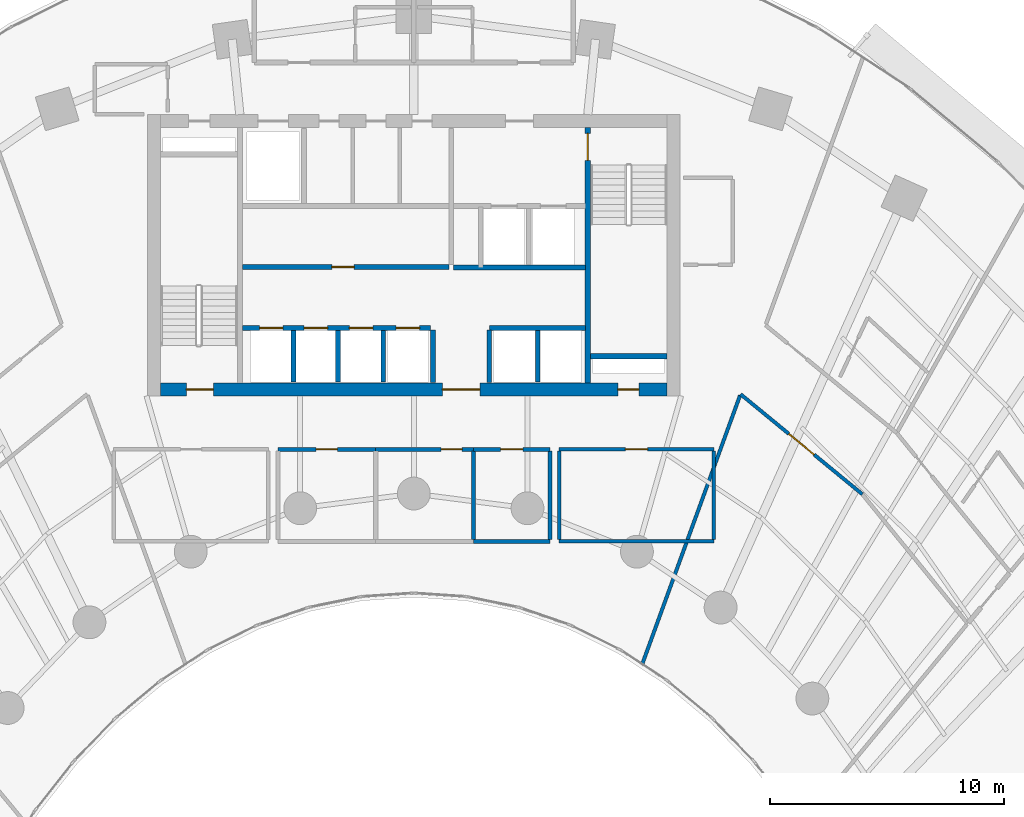
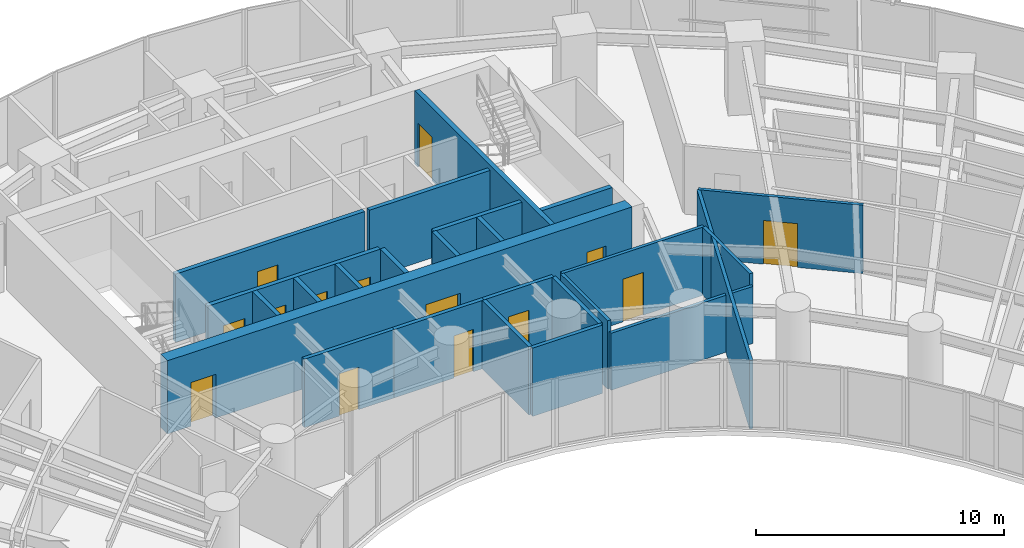
# One storey, part 12 of 17: 25 walls, 14 doors, 14 openings.
"""IFC4 building model written with IfcOpenShell, lengths in metres."""

from ifc_helpers import new_model, si_unit, direction, frame, frame_2d, origin, place, context, subcontext, project, spatial, rectangle, extrude, source, transform, mapped, material, layer, layer_set, type_object, type_shapes, element, fill, save


model = new_model("IFC4")

# Units and contexts
model_context = context("Model", 3, precision=1e-05, world=origin(), true_north=direction((0.0, 1.0)))
body_context = subcontext(model_context, "Body", "Model", "MODEL_VIEW")
ifc_project = project(units=[si_unit("LENGTHUNIT", "METRE"), si_unit("AREAUNIT", "SQUARE_METRE"), si_unit("VOLUMEUNIT", "CUBIC_METRE"), si_unit("PLANEANGLEUNIT", "RADIAN"), si_unit("MASSUNIT", "GRAM", prefix="KILO")], contexts=[model_context])

# Site, building, storey
site_placement = place(None, origin())
site = spatial("IfcSite", under=ifc_project, at=site_placement, CompositionType="ELEMENT")
building_placement = place(site_placement, origin())
building = spatial("IfcBuilding", under=site, at=building_placement, Name="Breltana Convention Tower", CompositionType="ELEMENT")
storey_placement = place(building_placement, frame((0.0, 0.0, 49.800048828125)))
storey = spatial("IfcBuildingStorey", under=building, at=storey_placement, Name="L10", CompositionType="ELEMENT", Elevation=49.800048828125)

# Wall, openings, doors
ifc_material_1 = material(Name="Concrete C60/75", Category="concrete")
ifc_layer_1 = layer(ifc_material_1, 0.550048828125, Name="Concrete C60/75")
ifc_layer_set_1 = layer_set([ifc_layer_1], Name="Concrete C60/75")
wall_type_1 = type_object("IfcWallType", Name="SW-CORE-550", PredefinedType="SHEAR", material=ifc_layer_set_1)
shared_shape_1 = source(origin(), body_context, "Body", "SweptSolid", [
    extrude(rectangle(XDim=21.60009765625, YDim=0.550048828125, at=frame_2d((10.800048828125, 0.0))), origin(), (0.0, 0.0, 1.0), 3.599853515625),
])
wall_1_placement = place(storey_placement, frame((37.199951171875, 60.47509765625, 0.0), z_axis=(0.0, 0.0, 1.0), x_axis=(1.0, 0.0, 0.0)))
wall_1 = element("IfcWall", 1, at=wall_1_placement, inside=storey, type_object=wall_type_1, Name="L10 South Core Shear Wall", PredefinedType="SHEAR", context=body_context, shape_type="MappedRepresentation", body=[
    mapped(shared_shape_1, transform((0.0, 0.0, 0.0), scale=1.0)),
])
opening_1_placement = place(wall_1_placement, frame((1.10009765625, 0.0, 0.0)))
opening_1 = element("IfcOpeningElement", 2, at=opening_1_placement, cuts=wall_1, Name="Opening D-11", PredefinedType="OPENING", context=body_context, shape_type="SweptSolid", body=[
    extrude(rectangle(XDim=1.14990234375, YDim=2.14990234375, at=frame_2d((0.574951171875, 1.074951171875))), frame((0.0, 0.28515625, 0.0), z_axis=(0.0, -1.0, 0.0), x_axis=(1.0, 0.0, 0.0)), (0.0, 0.0, 1.0), 0.570068359375),
])
opening_2_placement = place(wall_1_placement, frame((19.5, 0.0, 0.0)))
opening_2 = element("IfcOpeningElement", 3, at=opening_2_placement, cuts=wall_1, Name="Opening D-18", PredefinedType="OPENING", context=body_context, shape_type="SweptSolid", body=[
    extrude(rectangle(XDim=0.89990234375, YDim=2.10009765625, at=frame_2d((0.449951171875, 1.050048828125))), frame((0.0, 0.28515625, 0.0), z_axis=(0.0, -1.0, 0.0), x_axis=(1.0, 0.0, 0.0)), (0.0, 0.0, 1.0), 0.570068359375),
])
opening_3_placement = place(wall_1_placement, frame((12.02001953125, 0.0, 0.0)))
opening_3 = element("IfcOpeningElement", 4, at=opening_3_placement, cuts=wall_1, Name="Opening D-02", PredefinedType="OPENING", context=body_context, shape_type="SweptSolid", body=[
    extrude(rectangle(XDim=1.60009765625, YDim=2.14990234375, at=frame_2d((0.800048828125, 1.074951171875))), frame((0.0, 0.28515625, 0.0), z_axis=(0.0, -1.0, 0.0), x_axis=(1.0, 0.0, 0.0)), (0.0, 0.0, 1.0), 0.570068359375),
])
ifc_material_2 = material(Name="Steel Stair Exit Door", Category="steel")
door_type_1 = type_object("IfcDoorType", Name="DR-FD120-1150", OperationType="NOTDEFINED", PredefinedType="DOOR", material=ifc_material_2)
shared_shape_2 = source(origin(), body_context, "Body", "SweptSolid", [
    extrude(rectangle(XDim=1.14990234375, YDim=2.14990234375, at=frame_2d((0.574951171875, 1.074951171875))), frame((0.0, 0.02490234375, 0.0), z_axis=(0.0, -1.0, 0.0), x_axis=(1.0, 0.0, 0.0)), (0.0, 0.0, 1.0), 0.050048828125),
])
type_shapes(door_type_1, [shared_shape_2])
door_1_placement = place(opening_1_placement, origin())
door_1 = element("IfcDoor", 5, at=door_1_placement, inside=storey, type_object=door_type_1, Name="L10 interior door D-L10-ST1", OperationType="SINGLE_SWING_LEFT", OverallHeight=2.14990234375, OverallWidth=1.14990234375, PredefinedType="DOOR", context=body_context, shape_type="MappedRepresentation", body=[
    mapped(shared_shape_2, transform((0.0, 0.0, 0.0), scale=1.0)),
])
fill(opening_1, door_1)
ifc_material_3 = material(Name="Steel Riser Fire Door", Category="steel")
door_type_2 = type_object("IfcDoorType", Name="DR-FD60-900", OperationType="NOTDEFINED", PredefinedType="DOOR", material=ifc_material_3)
shared_shape_3 = source(origin(), body_context, "Body", "SweptSolid", [
    extrude(rectangle(XDim=0.89990234375, YDim=2.10009765625, at=frame_2d((0.449951171875, 1.050048828125))), frame((0.0, 0.02490234375, 0.0), z_axis=(0.0, -1.0, 0.0), x_axis=(1.0, 0.0, 0.0)), (0.0, 0.0, 1.0), 0.050048828125),
])
type_shapes(door_type_2, [shared_shape_3])
door_2_placement = place(opening_2_placement, origin())
door_2 = element("IfcDoor", 6, at=door_2_placement, inside=storey, type_object=door_type_2, Name="L10 Core Riser Access Door D-L10-RS2", OperationType="SINGLE_SWING_RIGHT", OverallHeight=2.10009765625, OverallWidth=0.89990234375, PredefinedType="DOOR", context=body_context, shape_type="MappedRepresentation", body=[
    mapped(shared_shape_3, transform((0.0, 0.0, 0.0), scale=1.0)),
])
fill(opening_2, door_2)
ifc_material_4 = material(Name="Steel Glazed Smoke-Control Door", Category="steel")
door_type_3 = type_object("IfcDoorType", Name="DR-DBL-FD90-1600", OperationType="DOUBLE_DOOR_SINGLE_SWING", PredefinedType="DOOR", material=ifc_material_4)
shared_shape_4 = source(origin(), body_context, "Body", "SweptSolid", [
    extrude(rectangle(XDim=1.60009765625, YDim=2.14990234375, at=frame_2d((0.800048828125, 1.074951171875))), frame((0.0, 0.02490234375, 0.0), z_axis=(0.0, -1.0, 0.0), x_axis=(1.0, 0.0, 0.0)), (0.0, 0.0, 1.0), 0.050048828125),
])
type_shapes(door_type_3, [shared_shape_4])
door_3_placement = place(opening_3_placement, origin())
door_3 = element("IfcDoor", 7, at=door_3_placement, inside=storey, type_object=door_type_3, Name="L10 interior door D-L10-LLB-S", OperationType="DOUBLE_DOOR_SINGLE_SWING", OverallHeight=2.14990234375, OverallWidth=1.60009765625, PredefinedType="DOOR", context=body_context, shape_type="MappedRepresentation", body=[
    mapped(shared_shape_4, transform((0.0, 0.0, 0.0), scale=1.0)),
])
fill(opening_3, door_3)

# Wall
ifc_material_5 = material(Name="Concrete C50/60", Category="concrete")
ifc_layer_2 = layer(ifc_material_5, 0.39990234375, Name="Concrete C50/60")
ifc_layer_set_2 = layer_set([ifc_layer_2], Name="Concrete C50/60")
wall_type_2 = type_object("IfcWallType", Name="SW-CORE-400", PredefinedType="SHEAR", material=ifc_layer_set_2)
shared_shape_5 = source(origin(), body_context, "Body", "SweptSolid", [
    extrude(rectangle(XDim=3.27001953125, YDim=0.219970703125, at=frame_2d((1.635009765625, 0.0))), origin(), (0.0, 0.0, 1.0), 3.599853515625),
])
wall_2_placement = place(storey_placement, frame((55.530029296875, 61.889892578125, 0.0), z_axis=(0.0, 0.0, 1.0), x_axis=(1.0, 0.0, 0.0)))
element("IfcWall", 8, at=wall_2_placement, inside=storey, type_object=wall_type_2, Name="L10 ST-2 Stairwell South Bearing Wall", PredefinedType="SHEAR", context=body_context, shape_type="MappedRepresentation", body=[
    mapped(shared_shape_5, transform((0.0, 0.0, 0.0), scale=1.0)),
])

# Wall, opening, door
shared_shape_6 = source(origin(), body_context, "Body", "SweptSolid", [
    extrude(rectangle(XDim=10.89990234375, YDim=0.219970703125, at=frame_2d((5.449951171875, 0.0))), origin(), (0.0, 0.0, 1.0), 3.599853515625),
])
wall_3_placement = place(storey_placement, frame((55.419921875, 60.75, 0.0), z_axis=(0.0, 0.0, 1.0), x_axis=(0.0, 1.0, 0.0)))
wall_3 = element("IfcWall", 9, at=wall_3_placement, inside=storey, type_object=wall_type_2, Name="L10 Core East Stair Spine Wall", PredefinedType="SHEAR", context=body_context, shape_type="MappedRepresentation", body=[
    mapped(shared_shape_6, transform((0.0, 0.0, 0.0), scale=1.0)),
])
opening_4_placement = place(wall_3_placement, frame((9.4951171875, 0.0, 0.0)))
opening_4 = element("IfcOpeningElement", 10, at=opening_4_placement, cuts=wall_3, Name="Opening D-11", PredefinedType="OPENING", context=body_context, shape_type="SweptSolid", body=[
    extrude(rectangle(XDim=1.14990234375, YDim=2.14990234375, at=frame_2d((0.574951171875, 1.074951171875))), frame((0.0, 0.1201171875, 0.0), z_axis=(0.0, -1.0, 0.0), x_axis=(1.0, 0.0, 0.0)), (0.0, 0.0, 1.0), 0.239990234375),
])
door_4_placement = place(opening_4_placement, origin())
door_4 = element("IfcDoor", 11, at=door_4_placement, inside=storey, type_object=door_type_1, Name="L10 interior door D-L10-ST2", OperationType="SINGLE_SWING_LEFT", OverallHeight=2.14990234375, OverallWidth=1.14990234375, PredefinedType="DOOR", context=body_context, shape_type="MappedRepresentation", body=[
    mapped(shared_shape_2, transform((0.0, 0.0, 0.0), scale=1.0)),
])
fill(opening_4, door_4)

# Walls
ifc_material_6 = material(Name="Gypsum Acoustic Drywall Partition")
ifc_layer_3 = layer(ifc_material_6, 0.14990234375, Name="Gypsum Acoustic Drywall Partition")
ifc_layer_set_3 = layer_set([ifc_layer_3], Name="Gypsum Acoustic Drywall Partition")
wall_type_3 = type_object("IfcWallType", Name="WL-PART-150", PredefinedType="PARTITIONING", material=ifc_layer_set_3)
shared_shape_7 = source(origin(), body_context, "Body", "SweptSolid", [
    extrude(rectangle(XDim=6.60009765625, YDim=0.14990234375, at=frame_2d((3.300048828125, 0.0))), origin(), (0.0, 0.0, 1.0), 2.802978515625),
])
wall_4_placement = place(storey_placement, frame((54.199951171875, 54.0, 0.0), z_axis=(0.0, 0.0, 1.0), x_axis=(1.0, 0.0, 0.0)))
element("IfcWall", 12, at=wall_4_placement, inside=storey, type_object=wall_type_3, Name="L10 interior partition W-L10-HMT-S", PredefinedType="PARTITIONING", context=body_context, shape_type="MappedRepresentation", body=[
    mapped(shared_shape_7, transform((0.0, 0.0, 0.0), scale=1.0)),
])
ifc_material_7 = material(Name="Autoclaved Aerated Concrete Block", Category="concrete")
ifc_layer_4 = layer(ifc_material_7, 0.199951171875, Name="Autoclaved Aerated Concrete Block")
ifc_layer_set_4 = layer_set([ifc_layer_4], Name="Autoclaved Aerated Concrete Block")
wall_type_4 = type_object("IfcWallType", Name="WL-SHAFT-200", PredefinedType="SOLIDWALL", material=ifc_layer_set_4)
shared_shape_8 = source(origin(), body_context, "Body", "SweptSolid", [
    extrude(rectangle(XDim=2.239990234375, YDim=0.199951171875, at=frame_2d((1.1201171875, 0.0))), origin(), (0.0, 0.0, 1.0), 3.35986328125),
])
for number, where, z_axis, x_axis, name in (
    (13, (48.820068359375, 60.780029296875, 0.0), (0.0, 0.0, 1.0), (0.0, 1.0, 0.0), "L10 interior partition W-L10-PORT-W"),
    (14, (51.219970703125, 60.780029296875, 0.0), (0.0, 0.0, 1.0), (0.0, 1.0, 0.0), "L10 interior partition W-L10-PORT-E"),
):
    element("IfcWall", number, at=place(storey_placement, frame(where, z_axis=z_axis, x_axis=x_axis)), inside=storey, type_object=wall_type_4, Name=name, PredefinedType="SOLIDWALL", context=body_context, shape_type="MappedRepresentation", body=[
        mapped(shared_shape_8, transform((0.0, 0.0, 0.0), scale=1.0)),
    ])
shared_shape_9 = source(origin(), body_context, "Body", "SweptSolid", [
    extrude(rectangle(XDim=5.6201171875, YDim=0.199951171875, at=frame_2d((2.81005859375, 0.0))), origin(), (0.0, 0.0, 1.0), 3.35986328125),
])
wall_5_placement = place(storey_placement, frame((49.699951171875, 65.679931640625, 0.0), z_axis=(0.0, 0.0, 1.0), x_axis=(1.0, 0.0, 0.0)))
element("IfcWall", 15, at=wall_5_placement, inside=storey, type_object=wall_type_4, Name="L10 interior partition W-L10-FL-S", PredefinedType="SOLIDWALL", context=body_context, shape_type="MappedRepresentation", body=[
    mapped(shared_shape_9, transform((0.0, 0.0, 0.0), scale=1.0)),
])

# Wall, opening, door
shared_shape_10 = source(origin(), body_context, "Body", "SweptSolid", [
    extrude(rectangle(XDim=8.800048828125, YDim=0.199951171875, at=frame_2d((4.39990234375, 0.0))), origin(), (0.0, 0.0, 1.0), 3.35986328125),
])
wall_6_placement = place(storey_placement, frame((40.699951171875, 65.699951171875, 0.0), z_axis=(0.0, 0.0, 1.0), x_axis=(1.0, 0.0, 0.0)))
wall_6 = element("IfcWall", 16, at=wall_6_placement, inside=storey, type_object=wall_type_4, Name="L10 interior partition W-L10-SH-M-FRONT", PredefinedType="SOLIDWALL", context=body_context, shape_type="MappedRepresentation", body=[
    mapped(shared_shape_10, transform((0.0, 0.0, 0.0), scale=1.0)),
])
opening_5_placement = place(wall_6_placement, frame((3.800048828125, 0.0, 0.0)))
opening_5 = element("IfcOpeningElement", 17, at=opening_5_placement, cuts=wall_6, Name="Opening D-14", PredefinedType="OPENING", context=body_context, shape_type="SweptSolid", body=[
    extrude(rectangle(XDim=0.949951171875, YDim=2.14990234375, at=frame_2d((0.47509765625, 1.074951171875))), frame((0.0, 0.10986328125, 0.0), z_axis=(0.0, -1.0, 0.0), x_axis=(1.0, 0.0, 0.0)), (0.0, 0.0, 1.0), 0.219970703125),
])
ifc_material_8 = material(Name="Timber Solid-Core Fire Door", Category="wood")
door_type_4 = type_object("IfcDoorType", Name="DR-FD60-950", OperationType="NOTDEFINED", PredefinedType="DOOR", material=ifc_material_8)
shared_shape_11 = source(origin(), body_context, "Body", "SweptSolid", [
    extrude(rectangle(XDim=0.949951171875, YDim=2.14990234375, at=frame_2d((0.47509765625, 1.074951171875))), frame((0.0, 0.02490234375, 0.0), z_axis=(0.0, -1.0, 0.0), x_axis=(1.0, 0.0, 0.0)), (0.0, 0.0, 1.0), 0.050048828125),
])
type_shapes(door_type_4, [shared_shape_11])
door_5_placement = place(opening_5_placement, origin())
door_5 = element("IfcDoor", 18, at=door_5_placement, inside=storey, type_object=door_type_4, Name="L10 interior door D-L10-LV7-B2A", OperationType="SINGLE_SWING_LEFT", OverallHeight=2.14990234375, OverallWidth=0.949951171875, PredefinedType="DOOR", context=body_context, shape_type="MappedRepresentation", body=[
    mapped(shared_shape_11, transform((0.0, 0.0, 0.0), scale=1.0)),
])
fill(opening_5, door_5)

# Wall, openings, doors
shared_shape_12 = source(origin(), body_context, "Body", "SweptSolid", [
    extrude(rectangle(XDim=8.02001953125, YDim=0.199951171875, at=frame_2d((4.010009765625, 0.0))), origin(), (0.0, 0.0, 1.0), 3.35986328125),
])
wall_7_placement = place(storey_placement, frame((40.699951171875, 63.10009765625, 0.0), z_axis=(0.0, 0.0, 1.0), x_axis=(1.0, 0.0, 0.0)))
wall_7 = element("IfcWall", 19, at=wall_7_placement, inside=storey, type_object=wall_type_4, Name="L10 interior partition W-L10-SH-S-FRONT", PredefinedType="SOLIDWALL", context=body_context, shape_type="MappedRepresentation", body=[
    mapped(shared_shape_12, transform((0.0, 0.0, 0.0), scale=1.0)),
])
opening_6_placement = place(wall_7_placement, frame((0.719970703125, 0.0, 0.0)))
opening_6 = element("IfcOpeningElement", 20, at=opening_6_placement, cuts=wall_7, Name="Opening LD-04", PredefinedType="OPENING", context=body_context, shape_type="SweptSolid", body=[
    extrude(rectangle(XDim=1.0, YDim=2.14990234375, at=frame_2d((0.5, 1.074951171875))), frame((0.0, 0.10986328125, 0.0), z_axis=(0.0, -1.0, 0.0), x_axis=(1.0, 0.0, 0.0)), (0.0, 0.0, 1.0), 0.219970703125),
])
opening_7_placement = place(wall_7_placement, frame((2.6201171875, 0.0, 0.0)))
opening_7 = element("IfcOpeningElement", 21, at=opening_7_placement, cuts=wall_7, Name="Opening LD-04", PredefinedType="OPENING", context=body_context, shape_type="SweptSolid", body=[
    extrude(rectangle(XDim=1.0, YDim=2.14990234375, at=frame_2d((0.5, 1.074951171875))), frame((0.0, 0.10986328125, 0.0), z_axis=(0.0, -1.0, 0.0), x_axis=(1.0, 0.0, 0.0)), (0.0, 0.0, 1.0), 0.219970703125),
])
opening_8_placement = place(wall_7_placement, frame((4.550048828125, 0.0, 0.0)))
opening_8 = element("IfcOpeningElement", 22, at=opening_8_placement, cuts=wall_7, Name="Opening LD-04", PredefinedType="OPENING", context=body_context, shape_type="SweptSolid", body=[
    extrude(rectangle(XDim=1.0, YDim=2.14990234375, at=frame_2d((0.5, 1.074951171875))), frame((0.0, 0.10986328125, 0.0), z_axis=(0.0, -1.0, 0.0), x_axis=(1.0, 0.0, 0.0)), (0.0, 0.0, 1.0), 0.219970703125),
])
opening_9_placement = place(wall_7_placement, frame((6.550048828125, 0.0, 0.0)))
opening_9 = element("IfcOpeningElement", 23, at=opening_9_placement, cuts=wall_7, Name="Opening LD-04", PredefinedType="OPENING", context=body_context, shape_type="SweptSolid", body=[
    extrude(rectangle(XDim=1.0, YDim=2.14990234375, at=frame_2d((0.5, 1.074951171875))), frame((0.0, 0.10986328125, 0.0), z_axis=(0.0, -1.0, 0.0), x_axis=(1.0, 0.0, 0.0)), (0.0, 0.0, 1.0), 0.219970703125),
])
ifc_material_9 = material(Name="Stainless Steel Brushed", Category="steel")
door_type_5 = type_object("IfcDoorType", Name="DR-LD-PAX-1000", OperationType="DOUBLE_DOOR_SLIDING", PredefinedType="DOOR", material=ifc_material_9)
shared_shape_13 = source(origin(), body_context, "Body", "SweptSolid", [
    extrude(rectangle(XDim=1.0, YDim=2.14990234375, at=frame_2d((0.5, 1.074951171875))), frame((0.0, 0.02490234375, 0.0), z_axis=(0.0, -1.0, 0.0), x_axis=(1.0, 0.0, 0.0)), (0.0, 0.0, 1.0), 0.050048828125),
])
type_shapes(door_type_5, [shared_shape_13])
door_6_placement = place(opening_6_placement, origin())
door_6 = element("IfcDoor", 24, at=door_6_placement, inside=storey, type_object=door_type_5, Name="L10 Lift Landing Door D-L10-LD-S1", OperationType="DOUBLE_DOOR_SLIDING", OverallHeight=2.14990234375, OverallWidth=1.0, PredefinedType="DOOR", context=body_context, shape_type="MappedRepresentation", body=[
    mapped(shared_shape_13, transform((0.0, 0.0, 0.0), scale=1.0)),
])
fill(opening_6, door_6)
door_7_placement = place(opening_7_placement, origin())
door_7 = element("IfcDoor", 25, at=door_7_placement, inside=storey, type_object=door_type_5, Name="L10 Lift Landing Door D-L10-LD-S2", OperationType="DOUBLE_DOOR_SLIDING", OverallHeight=2.14990234375, OverallWidth=1.0, PredefinedType="DOOR", context=body_context, shape_type="MappedRepresentation", body=[
    mapped(shared_shape_13, transform((0.0, 0.0, 0.0), scale=1.0)),
])
fill(opening_7, door_7)
door_8_placement = place(opening_8_placement, origin())
door_8 = element("IfcDoor", 26, at=door_8_placement, inside=storey, type_object=door_type_5, Name="L10 Lift Landing Door D-L10-LD-S3", OperationType="DOUBLE_DOOR_SLIDING", OverallHeight=2.14990234375, OverallWidth=1.0, PredefinedType="DOOR", context=body_context, shape_type="MappedRepresentation", body=[
    mapped(shared_shape_13, transform((0.0, 0.0, 0.0), scale=1.0)),
])
fill(opening_8, door_8)
door_9_placement = place(opening_9_placement, origin())
door_9 = element("IfcDoor", 27, at=door_9_placement, inside=storey, type_object=door_type_5, Name="L10 Lift Landing Door D-L10-LD-S4", OperationType="DOUBLE_DOOR_SLIDING", OverallHeight=2.14990234375, OverallWidth=1.0, PredefinedType="DOOR", context=body_context, shape_type="MappedRepresentation", body=[
    mapped(shared_shape_13, transform((0.0, 0.0, 0.0), scale=1.0)),
])
fill(opening_9, door_9)

# Walls
shared_shape_14 = source(origin(), body_context, "Body", "SweptSolid", [
    extrude(rectangle(XDim=4.10009765625, YDim=0.199951171875, at=frame_2d((2.050048828125, 0.0))), origin(), (0.0, 0.0, 1.0), 3.35986328125),
])
wall_8_placement = place(storey_placement, frame((51.219970703125, 63.10009765625, 0.0), z_axis=(0.0, 0.0, 1.0), x_axis=(1.0, 0.0, 0.0)))
element("IfcWall", 28, at=wall_8_placement, inside=storey, type_object=wall_type_4, Name="L10 interior partition W-L10-SH-X-FRONT", PredefinedType="SOLIDWALL", context=body_context, shape_type="MappedRepresentation", body=[
    mapped(shared_shape_14, transform((0.0, 0.0, 0.0), scale=1.0)),
])
shared_shape_15 = source(origin(), body_context, "Body", "SweptSolid", [
    extrude(rectangle(XDim=2.199951171875, YDim=0.199951171875, at=frame_2d((1.10009765625, 0.0))), origin(), (0.0, 0.0, 1.0), 3.35986328125),
])
for number, where, z_axis, x_axis, name in (
    (29, (42.8701171875, 60.800048828125, 0.0), (0.0, 0.0, 1.0), (0.0, 1.0, 0.0), "L10 interior partition W-L10-SH-S-DIV1"),
    (30, (44.77001953125, 60.800048828125, 0.0), (0.0, 0.0, 1.0), (0.0, 1.0, 0.0), "L10 interior partition W-L10-SH-S-DIV2"),
    (31, (46.699951171875, 60.800048828125, 0.0), (0.0, 0.0, 1.0), (0.0, 1.0, 0.0), "L10 interior partition W-L10-SH-S-DIV3"),
    (32, (53.280029296875, 60.800048828125, 0.0), (0.0, 0.0, 1.0), (0.0, 1.0, 0.0), "L10 interior partition W-L10-SH-X-DIV"),
):
    element("IfcWall", number, at=place(storey_placement, frame(where, z_axis=z_axis, x_axis=x_axis)), inside=storey, type_object=wall_type_4, Name=name, PredefinedType="SOLIDWALL", context=body_context, shape_type="MappedRepresentation", body=[
        mapped(shared_shape_15, transform((0.0, 0.0, 0.0), scale=1.0)),
    ])

# Wall, opening, door
shared_shape_16 = source(origin(), body_context, "Body", "SweptSolid", [
    extrude(rectangle(XDim=6.60009765625, YDim=0.14990234375, at=frame_2d((3.300048828125, 0.0))), origin(), (0.0, 0.0, 1.0), 3.35986328125),
])
wall_9_placement = place(storey_placement, frame((54.199951171875, 57.919921875, 0.0), z_axis=(0.0, 0.0, 1.0), x_axis=(1.0, 0.0, 0.0)))
wall_9 = element("IfcWall", 33, at=wall_9_placement, inside=storey, type_object=wall_type_3, Name="L10 interior partition W-L10-HMT-N", PredefinedType="PARTITIONING", context=body_context, shape_type="MappedRepresentation", body=[
    mapped(shared_shape_16, transform((0.0, 0.0, 0.0), scale=1.0)),
])
opening_10_placement = place(wall_9_placement, frame((2.824951171875, 0.0, 0.0)))
opening_10 = element("IfcOpeningElement", 34, at=opening_10_placement, cuts=wall_9, Name="Opening D-17", PredefinedType="OPENING", context=body_context, shape_type="SweptSolid", body=[
    extrude(rectangle(XDim=0.949951171875, YDim=2.10009765625, at=frame_2d((0.47509765625, 1.050048828125))), frame((0.0, 0.0849609375, 0.0), z_axis=(0.0, -1.0, 0.0), x_axis=(1.0, 0.0, 0.0)), (0.0, 0.0, 1.0), 0.169921875),
])
ifc_material_10 = material(Name="Timber Oak Veneer Door", Category="wood")
door_type_6 = type_object("IfcDoorType", Name="DR-INT-950", OperationType="NOTDEFINED", PredefinedType="DOOR", material=ifc_material_10)
shared_shape_17 = source(origin(), body_context, "Body", "SweptSolid", [
    extrude(rectangle(XDim=0.949951171875, YDim=2.10009765625, at=frame_2d((0.47509765625, 1.050048828125))), frame((0.0, 0.02490234375, 0.0), z_axis=(0.0, -1.0, 0.0), x_axis=(1.0, 0.0, 0.0)), (0.0, 0.0, 1.0), 0.050048828125),
])
type_shapes(door_type_6, [shared_shape_17])
door_10_placement = place(opening_10_placement, origin())
door_10 = element("IfcDoor", 35, at=door_10_placement, inside=storey, type_object=door_type_6, Name="L10 interior door D-L10-HMT", OperationType="SINGLE_SWING_RIGHT", OverallHeight=2.10009765625, OverallWidth=0.949951171875, PredefinedType="DOOR", context=body_context, shape_type="MappedRepresentation", body=[
    mapped(shared_shape_17, transform((0.0, 0.0, 0.0), scale=1.0)),
])
fill(opening_10, door_10)

# Walls
shared_shape_18 = source(origin(), body_context, "Body", "SweptSolid", [
    extrude(rectangle(XDim=3.78515625, YDim=0.14990234375, at=frame_2d((1.892578125, 0.0))), origin(), (0.0, 0.0, 1.0), 3.35986328125),
])
for number, where, z_axis, x_axis, name in (
    (36, (54.199951171875, 54.0673828125, 0.0), (0.0, 0.0, 1.0), (0.0, 1.0, 0.0), "L10 interior partition W-L10-HMT-W"),
    (37, (60.800048828125, 54.0673828125, 0.0), (0.0, 0.0, 1.0), (0.0, 1.0, 0.0), "L10 interior partition W-L10-HMT-E"),
):
    element("IfcWall", number, at=place(storey_placement, frame(where, z_axis=z_axis, x_axis=x_axis)), inside=storey, type_object=wall_type_3, Name=name, PredefinedType="PARTITIONING", context=body_context, shape_type="MappedRepresentation", body=[
        mapped(shared_shape_18, transform((0.0, 0.0, 0.0), scale=1.0)),
    ])

# Wall, opening, door
ifc_material_11 = material(Name="Moisture-Resistant Gypsum Chase Wall")
ifc_layer_5 = layer(ifc_material_11, 0.179931640625, Name="Moisture-Resistant Gypsum Chase Wall")
ifc_layer_set_5 = layer_set([ifc_layer_5], Name="Moisture-Resistant Gypsum Chase Wall")
wall_type_5 = type_object("IfcWallType", Name="WL-PLUMB-180", PredefinedType="PLUMBINGWALL", material=ifc_layer_set_5)
shared_shape_19 = source(origin(), body_context, "Body", "SweptSolid", [
    extrude(rectangle(XDim=4.176025390625, YDim=0.179931640625, at=frame_2d((2.087890625, 0.0))), origin(), (0.0, 0.0, 1.0), 3.35986328125),
])
wall_10_placement = place(storey_placement, frame((42.199951171875, 57.919921875, 0.0), z_axis=(0.0, 0.0, 1.0), x_axis=(1.0, 0.0, 0.0)))
wall_10 = element("IfcWall", 38, at=wall_10_placement, inside=storey, type_object=wall_type_5, Name="L10 interior partition W-L10-WCM-N", PredefinedType="PLUMBINGWALL", context=body_context, shape_type="MappedRepresentation", body=[
    mapped(shared_shape_19, transform((0.0, 0.0, 0.0), scale=1.0)),
])
opening_11_placement = place(wall_10_placement, frame((1.637939453125, 0.0, 0.0)))
opening_11 = element("IfcOpeningElement", 39, at=opening_11_placement, cuts=wall_10, Name="Opening D-19", PredefinedType="OPENING", context=body_context, shape_type="SweptSolid", body=[
    extrude(rectangle(XDim=0.89990234375, YDim=2.080078125, at=frame_2d((0.449951171875, 1.0400390625))), frame((0.0, 0.10009765625, 0.0), z_axis=(0.0, -1.0, 0.0), x_axis=(1.0, 0.0, 0.0)), (0.0, 0.0, 1.0), 0.199951171875),
])
ifc_material_12 = material(Name="Timber Moisture-Resistant Door", Category="wood")
door_type_7 = type_object("IfcDoorType", Name="DR-WC-900", OperationType="NOTDEFINED", PredefinedType="DOOR", material=ifc_material_12)
shared_shape_20 = source(origin(), body_context, "Body", "SweptSolid", [
    extrude(rectangle(XDim=0.89990234375, YDim=2.080078125, at=frame_2d((0.449951171875, 1.0400390625))), frame((0.0, 0.02490234375, 0.0), z_axis=(0.0, -1.0, 0.0), x_axis=(1.0, 0.0, 0.0)), (0.0, 0.0, 1.0), 0.050048828125),
])
type_shapes(door_type_7, [shared_shape_20])
door_11_placement = place(opening_11_placement, origin())
door_11 = element("IfcDoor", 40, at=door_11_placement, inside=storey, type_object=door_type_7, Name="L10 interior door D-L10-WCM", OperationType="SINGLE_SWING_LEFT", OverallHeight=2.080078125, OverallWidth=0.89990234375, PredefinedType="DOOR", context=body_context, shape_type="MappedRepresentation", body=[
    mapped(shared_shape_20, transform((0.0, 0.0, 0.0), scale=1.0)),
])
fill(opening_11, door_11)

wall_11_placement = place(storey_placement, frame((46.3759765625, 57.919921875, 0.0), z_axis=(0.0, 0.0, 1.0), x_axis=(1.0, 0.0, 0.0)))
wall_11 = element("IfcWall", 41, at=wall_11_placement, inside=storey, type_object=wall_type_5, Name="L10 interior partition W-L10-WCF-N", PredefinedType="PLUMBINGWALL", context=body_context, shape_type="MappedRepresentation", body=[
    mapped(shared_shape_19, transform((0.0, 0.0, 0.0), scale=1.0)),
])
opening_12_placement = place(wall_11_placement, frame((2.7880859375, 0.0, 0.0)))
opening_12 = element("IfcOpeningElement", 42, at=opening_12_placement, cuts=wall_11, Name="Opening D-19", PredefinedType="OPENING", context=body_context, shape_type="SweptSolid", body=[
    extrude(rectangle(XDim=0.89990234375, YDim=2.080078125, at=frame_2d((0.449951171875, 1.0400390625))), frame((0.0, 0.10009765625, 0.0), z_axis=(0.0, -1.0, 0.0), x_axis=(1.0, 0.0, 0.0)), (0.0, 0.0, 1.0), 0.199951171875),
])
door_12_placement = place(opening_12_placement, origin())
door_12 = element("IfcDoor", 43, at=door_12_placement, inside=storey, type_object=door_type_7, Name="L10 interior door D-L10-WCF", OperationType="SINGLE_SWING_RIGHT", OverallHeight=2.080078125, OverallWidth=0.89990234375, PredefinedType="DOOR", context=body_context, shape_type="MappedRepresentation", body=[
    mapped(shared_shape_20, transform((0.0, 0.0, 0.0), scale=1.0)),
])
fill(opening_12, door_12)

# Walls
ifc_material_13 = material(Name="Cement Board Wet-Area Partition")
ifc_layer_6 = layer(ifc_material_13, 0.175048828125, Name="Cement Board Wet-Area Partition")
ifc_layer_set_6 = layer_set([ifc_layer_6], Name="Cement Board Wet-Area Partition")
wall_type_6 = type_object("IfcWallType", Name="WL-WET-175", PredefinedType="PARTITIONING", material=ifc_layer_set_6)
shared_shape_21 = source(origin(), body_context, "Body", "SweptSolid", [
    extrude(rectangle(XDim=3.7626953125, YDim=0.175048828125, at=frame_2d((1.88134765625, 0.0))), origin(), (0.0, 0.0, 1.0), 3.35986328125),
])
for number, where, z_axis, x_axis, name in (
    (44, (50.552001953125, 54.07861328125, 0.0), (0.0, 0.0, 1.0), (0.0, 1.0, 0.0), "L10 interior partition W-L10-WCF-E"),
    (45, (53.800048828125, 54.07861328125, 0.0), (0.0, 0.0, 1.0), (0.0, 1.0, 0.0), "L10 interior partition W-L10-WCA-E"),
):
    element("IfcWall", number, at=place(storey_placement, frame(where, z_axis=z_axis, x_axis=x_axis)), inside=storey, type_object=wall_type_6, Name=name, PredefinedType="PARTITIONING", context=body_context, shape_type="MappedRepresentation", body=[
        mapped(shared_shape_21, transform((0.0, 0.0, 0.0), scale=1.0)),
    ])
shared_shape_22 = source(origin(), body_context, "Body", "SweptSolid", [
    extrude(rectangle(XDim=3.248046875, YDim=0.175048828125, at=frame_2d((1.6240234375, 0.0))), origin(), (0.0, 0.0, 1.0), 3.35986328125),
])
wall_12_placement = place(storey_placement, frame((50.552001953125, 54.0, 0.0), z_axis=(0.0, 0.0, 1.0), x_axis=(1.0, 0.0, 0.0)))
element("IfcWall", 46, at=wall_12_placement, inside=storey, type_object=wall_type_6, Name="L10 interior partition W-L10-WCA-S", PredefinedType="PARTITIONING", context=body_context, shape_type="MappedRepresentation", body=[
    mapped(shared_shape_22, transform((0.0, 0.0, 0.0), scale=1.0)),
])

# Wall, opening, door
shared_shape_23 = source(origin(), body_context, "Body", "SweptSolid", [
    extrude(rectangle(XDim=3.248046875, YDim=0.179931640625, at=frame_2d((1.6240234375, 0.0))), origin(), (0.0, 0.0, 1.0), 3.35986328125),
])
wall_13_placement = place(storey_placement, frame((50.552001953125, 57.919921875, 0.0), z_axis=(0.0, 0.0, 1.0), x_axis=(1.0, 0.0, 0.0)))
wall_13 = element("IfcWall", 47, at=wall_13_placement, inside=storey, type_object=wall_type_5, Name="L10 interior partition W-L10-WCA-N", PredefinedType="PLUMBINGWALL", context=body_context, shape_type="MappedRepresentation", body=[
    mapped(shared_shape_23, transform((0.0, 0.0, 0.0), scale=1.0)),
])
opening_13_placement = place(wall_13_placement, frame((1.14892578125, 0.0, 0.0)))
opening_13 = element("IfcOpeningElement", 48, at=opening_13_placement, cuts=wall_13, Name="Opening D-16", PredefinedType="OPENING", context=body_context, shape_type="SweptSolid", body=[
    extrude(rectangle(XDim=0.949951171875, YDim=2.1201171875, at=frame_2d((0.47509765625, 1.06005859375))), frame((0.0, 0.10009765625, 0.0), z_axis=(0.0, -1.0, 0.0), x_axis=(1.0, 0.0, 0.0)), (0.0, 0.0, 1.0), 0.199951171875),
])
ifc_material_14 = material(Name="Timber Laminate Accessible Door", Category="wood")
door_type_8 = type_object("IfcDoorType", Name="DR-ACC-950", OperationType="NOTDEFINED", PredefinedType="DOOR", material=ifc_material_14)
shared_shape_24 = source(origin(), body_context, "Body", "SweptSolid", [
    extrude(rectangle(XDim=0.949951171875, YDim=2.1201171875, at=frame_2d((0.47509765625, 1.06005859375))), frame((0.0, 0.02490234375, 0.0), z_axis=(0.0, -1.0, 0.0), x_axis=(1.0, 0.0, 0.0)), (0.0, 0.0, 1.0), 0.050048828125),
])
type_shapes(door_type_8, [shared_shape_24])
door_13_placement = place(opening_13_placement, origin())
door_13 = element("IfcDoor", 49, at=door_13_placement, inside=storey, type_object=door_type_8, Name="L10 interior door D-L10-WCA", OperationType="SINGLE_SWING_LEFT", OverallHeight=2.1201171875, OverallWidth=0.949951171875, PredefinedType="DOOR", context=body_context, shape_type="MappedRepresentation", body=[
    mapped(shared_shape_24, transform((0.0, 0.0, 0.0), scale=1.0)),
])
fill(opening_13, door_13)

shared_shape_25 = source(origin(), body_context, "Body", "SweptSolid", [
    extrude(rectangle(XDim=6.72119140625, YDim=0.14990234375, at=frame_2d((3.360595703125, 0.0))), origin(), (0.0, 0.0, 1.0), 3.35986328125),
])
wall_14_placement = place(storey_placement, frame((61.931396484375, 60.275390625, 0.0), z_axis=(0.0, 0.0, 1.0), x_axis=(0.772828051199, -0.63461547671, 0.0)))
wall_14 = element("IfcWall", 50, at=wall_14_placement, inside=storey, type_object=wall_type_3, Name="L10 interior partition W-L10-HCF2-COR1", PredefinedType="PARTITIONING", context=body_context, shape_type="MappedRepresentation", body=[
    mapped(shared_shape_25, transform((0.0, 0.0, 0.0), scale=1.0)),
])
opening_14_placement = place(wall_14_placement, frame((2.660400390625, 0.0, 0.0)))
opening_14 = element("IfcOpeningElement", 51, at=opening_14_placement, cuts=wall_14, Name="Opening D-05", PredefinedType="OPENING", context=body_context, shape_type="SweptSolid", body=[
    extrude(rectangle(XDim=1.39990234375, YDim=2.14990234375, at=frame_2d((0.699951171875, 1.074951171875))), frame((0.0, 0.0849609375, 0.0), z_axis=(0.0, -1.0, 0.0), x_axis=(1.0, 0.0, 0.0)), (0.0, 0.0, 1.0), 0.169921875),
])
ifc_material_15 = material(Name="Timber Veneer Glazed Double Door", Category="wood")
door_type_9 = type_object("IfcDoorType", Name="DR-DBL-1400", OperationType="DOUBLE_DOOR_SINGLE_SWING", PredefinedType="DOOR", material=ifc_material_15)
shared_shape_26 = source(origin(), body_context, "Body", "SweptSolid", [
    extrude(rectangle(XDim=1.39990234375, YDim=2.14990234375, at=frame_2d((0.699951171875, 1.074951171875))), frame((0.0, 0.02490234375, 0.0), z_axis=(0.0, -1.0, 0.0), x_axis=(1.0, 0.0, 0.0)), (0.0, 0.0, 1.0), 0.050048828125),
])
type_shapes(door_type_9, [shared_shape_26])
door_14_placement = place(opening_14_placement, origin())
door_14 = element("IfcDoor", 52, at=door_14_placement, inside=storey, type_object=door_type_9, Name="L10 interior door D-L10-HCF2", OperationType="SINGLE_SWING_RIGHT", OverallHeight=2.14990234375, OverallWidth=1.39990234375, PredefinedType="DOOR", context=body_context, shape_type="MappedRepresentation", body=[
    mapped(shared_shape_26, transform((0.0, 0.0, 0.0), scale=1.0)),
])
fill(opening_14, door_14)

# Wall
shared_shape_27 = source(origin(), body_context, "Body", "SweptSolid", [
    extrude(rectangle(XDim=12.1962890625, YDim=0.14990234375, at=frame_2d((6.09814453125, 0.0))), origin(), (0.0, 0.0, 1.0), 3.35986328125),
])
wall_15_placement = place(storey_placement, frame((57.742431640625, 48.766357421875, 0.0), z_axis=(0.0, 0.0, 1.0), x_axis=(0.342022711534, 0.939691686031, 0.0)))
element("IfcWall", 53, at=wall_15_placement, inside=storey, type_object=wall_type_3, Name="L10 interior partition W-L10-HCF2-RA", PredefinedType="PARTITIONING", context=body_context, shape_type="MappedRepresentation", body=[
    mapped(shared_shape_27, transform((0.0, 0.0, 0.0), scale=1.0)),
])

save(model, "model.ifc")
